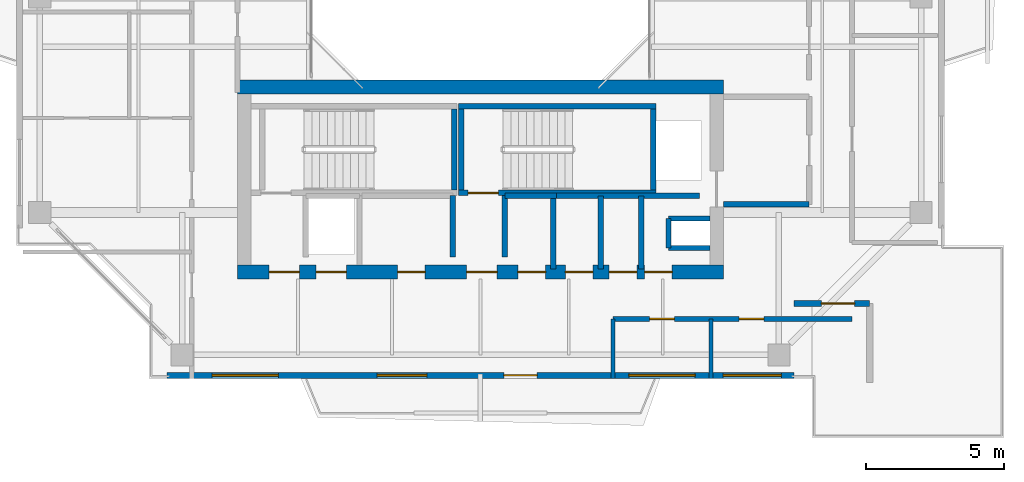
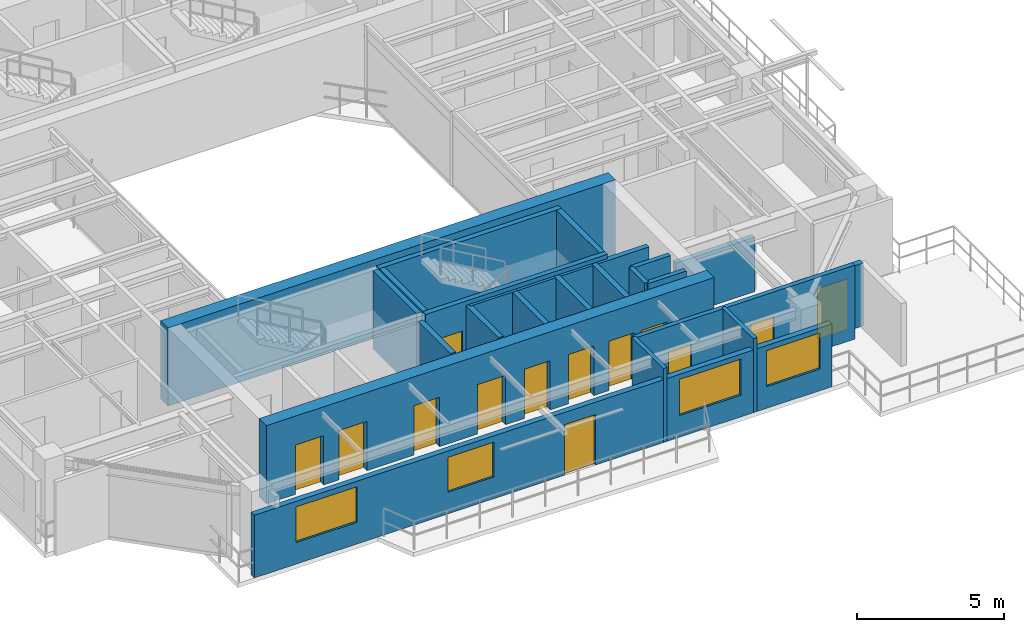
# One storey, part 10 of 16: 23 walls, 13 doors, 4 windows, 17 openings.
"""IFC4 building model written with IfcOpenShell, lengths in metres."""

from ifc_helpers import new_model, si_unit, direction, frame, frame_2d, origin, place, context, subcontext, project, spatial, rectangle, extrude, source, transform, mapped, material, layer, layer_set, type_object, element, fill, save


model = new_model("IFC4")

# Units and contexts
model_context = context("Model", 3, precision=1e-05, world=origin(), true_north=direction((0.0, 1.0)))
body_context = subcontext(model_context, "Body", "Model", "MODEL_VIEW")
ifc_project = project(units=[si_unit("LENGTHUNIT", "METRE"), si_unit("AREAUNIT", "SQUARE_METRE"), si_unit("VOLUMEUNIT", "CUBIC_METRE"), si_unit("PLANEANGLEUNIT", "RADIAN"), si_unit("MASSUNIT", "GRAM", prefix="KILO"), si_unit("THERMODYNAMICTEMPERATUREUNIT", "KELVIN"), si_unit("POWERUNIT", "WATT")], contexts=[model_context])

# Site, building, storey
site_placement = place(None, origin())
site = spatial("IfcSite", under=ifc_project, at=site_placement, CompositionType="ELEMENT")
building_placement = place(site_placement, origin())
building = spatial("IfcBuilding", under=site, at=building_placement, Name="Qiaomeng Ring Towers", CompositionType="ELEMENT")
storey_placement = place(building_placement, frame((0.0, 0.0, 203.5)))
storey = spatial("IfcBuildingStorey", under=building, at=storey_placement, Name="L59", CompositionType="ELEMENT", Elevation=203.5)

# Wall, openings, windows, door
ifc_material_1 = material(Name="Precast concrete C40", Category="concrete")
ifc_layer_1 = layer(ifc_material_1, 0.219970703125, Name="Precast concrete C40")
ifc_layer_set_1 = layer_set([ifc_layer_1], Name="Precast concrete C40")
wall_type_1 = type_object("IfcWallType", Name="ARC-WL-EW2", PredefinedType="STANDARD", material=ifc_layer_set_1)
wall_1_placement = place(storey_placement, frame((7.64990234375, 6.31005859375, 0.0), z_axis=(0.0, 0.0, 1.0), x_axis=(1.0, 0.0, 0.0)))
wall_1 = element("IfcWall", 1, at=wall_1_placement, inside=storey, type_object=wall_type_1, Name="L59 Tower 1 S Exterior Wall", PredefinedType="STANDARD", context=body_context, shape_type="SweptSolid", body=[
    extrude(rectangle(XDim=22.7001953125, YDim=0.219970703125, at=frame_2d((11.35009765625, 0.0))), origin(), (0.0, 0.0, 1.0), 2.610107421875),
])
opening_1_placement = place(wall_1_placement, frame((12.199951171875, 0.0, 0.0)))
opening_1 = element("IfcOpeningElement", 2, at=opening_1_placement, cuts=wall_1, Name="Opening BD1", PredefinedType="OPENING", context=body_context, shape_type="SweptSolid", body=[
    extrude(rectangle(XDim=1.199951171875, YDim=2.10009765625, at=frame_2d((0.60009765625, 1.050048828125))), frame((0.0, 0.119873046875, 0.0), z_axis=(0.0, -1.0, 0.0), x_axis=(1.0, 0.0, 0.0)), (0.0, 0.0, 1.0), 0.239990234375),
])
opening_2_placement = place(wall_1_placement, frame((1.636962890625, 0.0, 0.89990234375)))
opening_2 = element("IfcOpeningElement", 3, at=opening_2_placement, cuts=wall_1, Name="Opening WN6", PredefinedType="OPENING", context=body_context, shape_type="SweptSolid", body=[
    extrude(rectangle(XDim=2.39990234375, YDim=1.47998046875, at=frame_2d((1.199951171875, 0.739990234375))), frame((0.0, 0.119873046875, 0.0), z_axis=(0.0, -1.0, 0.0), x_axis=(1.0, 0.0, 0.0)), (0.0, 0.0, 1.0), 0.239990234375),
])
opening_3_placement = place(wall_1_placement, frame((7.612060546875, 0.0, 0.89990234375)))
opening_3 = element("IfcOpeningElement", 4, at=opening_3_placement, cuts=wall_1, Name="Opening WN1", PredefinedType="OPENING", context=body_context, shape_type="SweptSolid", body=[
    extrude(rectangle(XDim=1.800048828125, YDim=1.449951171875, at=frame_2d((0.89990234375, 0.72509765625))), frame((0.0, 0.119873046875, 0.0), z_axis=(0.0, -1.0, 0.0), x_axis=(1.0, 0.0, 0.0)), (0.0, 0.0, 1.0), 0.239990234375),
])
opening_4_placement = place(wall_1_placement, frame((20.137451171875, 0.0, 0.89990234375)))
opening_4 = element("IfcOpeningElement", 5, at=opening_4_placement, cuts=wall_1, Name="Opening WN4", PredefinedType="OPENING", context=body_context, shape_type="SweptSolid", body=[
    extrude(rectangle(XDim=2.10009765625, YDim=1.5, at=frame_2d((1.050048828125, 0.75))), frame((0.0, 0.119873046875, 0.0), z_axis=(0.0, -1.0, 0.0), x_axis=(1.0, 0.0, 0.0)), (0.0, 0.0, 1.0), 0.239990234375),
])
opening_5_placement = place(wall_1_placement, frame((16.719970703125, 0.0, 0.89990234375)))
opening_5 = element("IfcOpeningElement", 6, at=opening_5_placement, cuts=wall_1, Name="Opening WN6", PredefinedType="OPENING", context=body_context, shape_type="SweptSolid", body=[
    extrude(rectangle(XDim=2.39990234375, YDim=1.5, at=frame_2d((1.199951171875, 0.75))), frame((0.0, 0.119873046875, 0.0), z_axis=(0.0, -1.0, 0.0), x_axis=(1.0, 0.0, 0.0)), (0.0, 0.0, 1.0), 0.239990234375),
])
ifc_material_2 = material(Name="Low-E dark-grey laminated double glazing", Category="glass")
window_type_1 = type_object("IfcWindowType", Name="ARC-WN-4", PartitioningType="TRIPLE_PANEL_VERTICAL", PredefinedType="WINDOW", material=ifc_material_2)
shared_shape_1 = source(origin(), body_context, "Body", "SweptSolid", [
    extrude(rectangle(XDim=2.10009765625, YDim=1.5, at=frame_2d((1.050048828125, 0.75))), frame((0.0, 0.030029296875, 0.0), z_axis=(0.0, -1.0, 0.0), x_axis=(1.0, 0.0, 0.0)), (0.0, 0.0, 1.0), 0.06005859375),
])
window_1_placement = place(opening_4_placement, origin())
window_1 = element("IfcWindow", 7, at=window_1_placement, inside=storey, type_object=window_type_1, Name="L59 Exterior Window WN4", OverallHeight=1.5, OverallWidth=2.10009765625, PartitioningType="TRIPLE_PANEL_VERTICAL", PredefinedType="WINDOW", context=body_context, shape_type="MappedRepresentation", body=[
    mapped(shared_shape_1, transform((0.0, 0.0, 0.0), x_axis=(1.0, 0.0, 0.0), y_axis=(0.0, 1.0, 0.0), z_axis=(0.0, 0.0, 1.0), scale=1.0)),
])
fill(opening_4, window_1)
window_type_2 = type_object("IfcWindowType", Name="ARC-WN-1", PartitioningType="DOUBLE_PANEL_VERTICAL", PredefinedType="WINDOW", material=ifc_material_2)
shared_shape_2 = source(origin(), body_context, "Body", "SweptSolid", [
    extrude(rectangle(XDim=1.800048828125, YDim=1.449951171875, at=frame_2d((0.89990234375, 0.72509765625))), frame((0.0, 0.030029296875, 0.0), z_axis=(0.0, -1.0, 0.0), x_axis=(1.0, 0.0, 0.0)), (0.0, 0.0, 1.0), 0.06005859375),
])
window_2_placement = place(opening_3_placement, origin())
window_2 = element("IfcWindow", 8, at=window_2_placement, inside=storey, type_object=window_type_2, Name="L59 Exterior Window WN1", OverallHeight=1.449951171875, OverallWidth=1.800048828125, PartitioningType="DOUBLE_PANEL_VERTICAL", PredefinedType="WINDOW", context=body_context, shape_type="MappedRepresentation", body=[
    mapped(shared_shape_2, transform((0.0, 0.0, 0.0), x_axis=(1.0, 0.0, 0.0), y_axis=(0.0, 1.0, 0.0), z_axis=(0.0, 0.0, 1.0), scale=1.0)),
])
fill(opening_3, window_2)
window_type_3 = type_object("IfcWindowType", Name="ARC-WN-6", PartitioningType="TRIPLE_PANEL_VERTICAL", PredefinedType="WINDOW", material=ifc_material_2)
shared_shape_3 = source(origin(), body_context, "Body", "SweptSolid", [
    extrude(rectangle(XDim=2.39990234375, YDim=1.47998046875, at=frame_2d((1.199951171875, 0.739990234375))), frame((0.0, 0.030029296875, 0.0), z_axis=(0.0, -1.0, 0.0), x_axis=(1.0, 0.0, 0.0)), (0.0, 0.0, 1.0), 0.06005859375),
])
window_3_placement = place(opening_2_placement, origin())
window_3 = element("IfcWindow", 9, at=window_3_placement, inside=storey, type_object=window_type_3, Name="L59 Exterior Window WN6", OverallHeight=1.47998046875, OverallWidth=2.39990234375, PartitioningType="TRIPLE_PANEL_VERTICAL", PredefinedType="WINDOW", context=body_context, shape_type="MappedRepresentation", body=[
    mapped(shared_shape_3, transform((0.0, 0.0, 0.0), x_axis=(1.0, 0.0, 0.0), y_axis=(0.0, 1.0, 0.0), z_axis=(0.0, 0.0, 1.0), scale=1.0)),
])
fill(opening_2, window_3)
door_type_1 = type_object("IfcDoorType", Name="ARC-DR-BD1", OperationType="NOTDEFINED", PredefinedType="DOOR", material=ifc_material_2)
shared_shape_4 = source(origin(), body_context, "Body", "SweptSolid", [
    extrude(rectangle(XDim=1.199951171875, YDim=2.10009765625, at=frame_2d((0.60009765625, 1.050048828125))), frame((0.0, 0.02490234375, 0.0), z_axis=(0.0, -1.0, 0.0), x_axis=(1.0, 0.0, 0.0)), (0.0, 0.0, 1.0), 0.050048828125),
])
door_1_placement = place(opening_1_placement, frame((1.199951171875, 0.0, 0.0), z_axis=(0.0, 0.0, 1.0), x_axis=(-1.0, 0.0, 0.0)))
door_1 = element("IfcDoor", 10, at=door_1_placement, inside=storey, type_object=door_type_1, Name="L59 S Balcony Glazed Door", OperationType="SINGLE_SWING_LEFT", OverallHeight=2.10009765625, OverallWidth=1.199951171875, PredefinedType="DOOR", context=body_context, shape_type="MappedRepresentation", body=[
    mapped(shared_shape_4, transform((0.0, 0.0, 0.0), x_axis=(1.0, 0.0, 0.0), y_axis=(0.0, 1.0, 0.0), z_axis=(0.0, 0.0, 1.0), scale=1.0)),
])
fill(opening_1, door_1)
shared_shape_5 = source(origin(), body_context, "Body", "SweptSolid", [
    extrude(rectangle(XDim=2.39990234375, YDim=1.5, at=frame_2d((1.199951171875, 0.75))), frame((0.0, 0.030029296875, 0.0), z_axis=(0.0, -1.0, 0.0), x_axis=(1.0, 0.0, 0.0)), (0.0, 0.0, 1.0), 0.06005859375),
])
window_4_placement = place(opening_5_placement, origin())
window_4 = element("IfcWindow", 11, at=window_4_placement, inside=storey, type_object=window_type_3, Name="L59 Exterior Window WN6", OverallHeight=1.5, OverallWidth=2.39990234375, PartitioningType="TRIPLE_PANEL_VERTICAL", PredefinedType="WINDOW", context=body_context, shape_type="MappedRepresentation", body=[
    mapped(shared_shape_5, transform((0.0, 0.0, 0.0), x_axis=(1.0, 0.0, 0.0), y_axis=(0.0, 1.0, 0.0), z_axis=(0.0, 0.0, 1.0), scale=1.0)),
])
fill(opening_5, window_4)

# Wall, opening, door
wall_2_placement = place(storey_placement, frame((30.35009765625, 8.909912109375, 0.0), z_axis=(0.0, 0.0, 1.0), x_axis=(1.0, 0.0, 0.0)))
wall_2 = element("IfcWall", 12, at=wall_2_placement, inside=storey, type_object=wall_type_1, Name="L59 Spiral Terrace Wall SE", PredefinedType="STANDARD", context=body_context, shape_type="SweptSolid", body=[
    extrude(rectangle(XDim=2.739990234375, YDim=0.219970703125, at=frame_2d((1.3701171875, 0.0))), origin(), (0.0, 0.0, 1.0), 2.610107421875),
])
opening_6_placement = place(wall_2_placement, frame((0.989990234375, 0.0, 0.0)))
opening_6 = element("IfcOpeningElement", 13, at=opening_6_placement, cuts=wall_2, Name="Opening BD1", PredefinedType="OPENING", context=body_context, shape_type="SweptSolid", body=[
    extrude(rectangle(XDim=1.199951171875, YDim=2.10009765625, at=frame_2d((0.60009765625, 1.050048828125))), frame((0.0, 0.119873046875, 0.0), z_axis=(0.0, -1.0, 0.0), x_axis=(1.0, 0.0, 0.0)), (0.0, 0.0, 1.0), 0.239990234375),
])
door_2_placement = place(opening_6_placement, origin())
door_2 = element("IfcDoor", 14, at=door_2_placement, inside=storey, type_object=door_type_1, Name="L59 Spiral Sky Terrace Door SE", OperationType="SINGLE_SWING_LEFT", OverallHeight=2.10009765625, OverallWidth=1.199951171875, PredefinedType="DOOR", context=body_context, shape_type="MappedRepresentation", body=[
    mapped(shared_shape_4, transform((0.0, 0.0, 0.0), x_axis=(1.0, 0.0, 0.0), y_axis=(0.0, 1.0, 0.0), z_axis=(0.0, 0.0, 1.0), scale=1.0)),
])
fill(opening_6, door_2)

# Walls
ifc_material_3 = material(Name="Autoclaved aerated concrete block", Category="concrete")
ifc_layer_2 = layer(ifc_material_3, 0.199951171875, Name="Autoclaved aerated concrete block")
ifc_layer_set_2 = layer_set([ifc_layer_2], Name="Autoclaved aerated concrete block")
wall_type_2 = type_object("IfcWallType", Name="ARC-WL-PW1", PredefinedType="PARTITIONING", material=ifc_layer_set_2)
wall_3_placement = place(storey_placement, frame((27.800048828125, 12.5, 0.0), z_axis=(0.0, 0.0, 1.0), x_axis=(1.0, 0.0, 0.0)))
element("IfcWall", 15, at=wall_3_placement, inside=storey, type_object=wall_type_2, Name="L59 Interior Wall PW1", PredefinedType="PARTITIONING", context=body_context, shape_type="SweptSolid", body=[
    extrude(rectangle(XDim=3.099853515625, YDim=0.199951171875, at=frame_2d((1.5498046875, 0.0))), origin(), (0.0, 0.0, 1.0), 2.264892578125),
])
for number, where, z_axis, x_axis, name in (
    (16, (18.0, 10.60009765625, 0.0), (0.0, 0.0, 1.0), (0.0, 1.0, 0.0), "L59 Interior Wall PW1"),
    (17, (19.8798828125, 10.60009765625, 0.0), (0.0, 0.0, 1.0), (0.0, 1.0, 0.0), "L59 Interior Wall PW1"),
):
    element("IfcWall", number, at=place(storey_placement, frame(where, z_axis=z_axis, x_axis=x_axis)), inside=storey, type_object=wall_type_2, Name=name, PredefinedType="PARTITIONING", context=body_context, shape_type="SweptSolid", body=[
        extrude(rectangle(XDim=2.2099609375, YDim=0.199951171875, at=frame_2d((1.10498046875, 0.0))), origin(), (0.0, 0.0, 1.0), 3.070068359375),
    ])
wall_4_placement = place(storey_placement, frame((24.820068359375, 10.14990234375, 0.0), z_axis=(0.0, 0.0, 1.0), x_axis=(0.0, 1.0, 0.0)))
element("IfcWall", 18, at=wall_4_placement, inside=storey, type_object=wall_type_2, Name="L59 Interior Wall PW1", PredefinedType="PARTITIONING", context=body_context, shape_type="SweptSolid", body=[
    extrude(rectangle(XDim=2.650146484375, YDim=0.199951171875, at=frame_2d((1.3251953125, 0.0))), origin(), (0.0, 0.0, 1.0), 3.070068359375),
])
wall_5_placement = place(storey_placement, frame((19.8798828125, 12.800048828125, 0.0), z_axis=(0.0, 0.0, 1.0), x_axis=(1.0, 0.0, 0.0)))
element("IfcWall", 19, at=wall_5_placement, inside=storey, type_object=wall_type_2, Name="L59 Interior Wall PW1", PredefinedType="PARTITIONING", context=body_context, shape_type="SweptSolid", body=[
    extrude(rectangle(XDim=1.8701171875, YDim=0.199951171875, at=frame_2d((0.93505859375, 0.0))), origin(), (0.0, 0.0, 1.0), 3.070068359375),
])
for number, where, z_axis, x_axis, name in (
    (20, (21.639892578125, 10.14990234375, 0.0), (0.0, 0.0, 1.0), (0.0, 1.0, 0.0), "L59 Interior Wall PW1"),
    (21, (23.35009765625, 10.14990234375, 0.0), (0.0, 0.0, 1.0), (0.0, 1.0, 0.0), "L59 Interior Wall PW1"),
):
    element("IfcWall", number, at=place(storey_placement, frame(where, z_axis=z_axis, x_axis=x_axis)), inside=storey, type_object=wall_type_2, Name=name, PredefinedType="PARTITIONING", context=body_context, shape_type="SweptSolid", body=[
        extrude(rectangle(XDim=2.650146484375, YDim=0.199951171875, at=frame_2d((1.3251953125, 0.0))), origin(), (0.0, 0.0, 1.0), 3.070068359375),
    ])
wall_6_placement = place(storey_placement, frame((21.75, 12.800048828125, 0.0), z_axis=(0.0, 0.0, 1.0), x_axis=(1.0, 0.0, 0.0)))
element("IfcWall", 22, at=wall_6_placement, inside=storey, type_object=wall_type_2, Name="L59 Interior Wall PW1", PredefinedType="PARTITIONING", context=body_context, shape_type="SweptSolid", body=[
    extrude(rectangle(XDim=5.169921875, YDim=0.199951171875, at=frame_2d((2.5849609375, 0.0))), origin(), (0.0, 0.0, 1.0), 3.070068359375),
])

# Wall, openings, doors
ifc_layer_3 = layer(ifc_material_3, 0.179931640625, Name="Autoclaved aerated concrete block")
ifc_layer_set_3 = layer_set([ifc_layer_3], Name="Autoclaved aerated concrete block")
wall_type_3 = type_object("IfcWallType", Name="ARC-WL-PW2", PredefinedType="PARTITIONING", material=ifc_layer_set_3)
wall_7_placement = place(storey_placement, frame((23.800048828125, 8.35009765625, 0.0), z_axis=(0.0, 0.0, 1.0), x_axis=(1.0, 0.0, 0.0)))
wall_7 = element("IfcWall", 23, at=wall_7_placement, inside=storey, type_object=wall_type_3, Name="L59 Interior Wall PW2", PredefinedType="PARTITIONING", context=body_context, shape_type="SweptSolid", body=[
    extrude(rectangle(XDim=8.64990234375, YDim=0.179931640625, at=frame_2d((4.324951171875, 0.0))), origin(), (0.0, 0.0, 1.0), 3.070068359375),
])
opening_7_placement = place(wall_7_placement, frame((1.320068359375, 0.0, 0.0)))
opening_7 = element("IfcOpeningElement", 24, at=opening_7_placement, cuts=wall_7, Name="Opening ID1", PredefinedType="OPENING", context=body_context, shape_type="SweptSolid", body=[
    extrude(rectangle(XDim=0.89990234375, YDim=2.050048828125, at=frame_2d((0.449951171875, 1.02490234375))), frame((0.0, 0.099853515625, 0.0), z_axis=(0.0, -1.0, 0.0), x_axis=(1.0, 0.0, 0.0)), (0.0, 0.0, 1.0), 0.199951171875),
])
opening_8_placement = place(wall_7_placement, frame((4.56201171875, 0.0, 0.0)))
opening_8 = element("IfcOpeningElement", 25, at=opening_8_placement, cuts=wall_7, Name="Opening ID1", PredefinedType="OPENING", context=body_context, shape_type="SweptSolid", body=[
    extrude(rectangle(XDim=0.89990234375, YDim=2.050048828125, at=frame_2d((0.449951171875, 1.02490234375))), frame((0.0, 0.099853515625, 0.0), z_axis=(0.0, -1.0, 0.0), x_axis=(1.0, 0.0, 0.0)), (0.0, 0.0, 1.0), 0.199951171875),
])
ifc_material_4 = material(Name="Engineered oak timber", Category="wood")
door_type_2 = type_object("IfcDoorType", Name="ARC-DR-ID1", OperationType="NOTDEFINED", PredefinedType="DOOR", material=ifc_material_4)
shared_shape_6 = source(origin(), body_context, "Body", "SweptSolid", [
    extrude(rectangle(XDim=0.89990234375, YDim=2.050048828125, at=frame_2d((0.449951171875, 1.02490234375))), frame((0.0, 0.02490234375, 0.0), z_axis=(0.0, -1.0, 0.0), x_axis=(1.0, 0.0, 0.0)), (0.0, 0.0, 1.0), 0.050048828125),
])
door_3_placement = place(opening_7_placement, origin())
door_3 = element("IfcDoor", 26, at=door_3_placement, inside=storey, type_object=door_type_2, Name="L59 Door ID1", OperationType="SINGLE_SWING_RIGHT", OverallHeight=2.050048828125, OverallWidth=0.89990234375, PredefinedType="DOOR", context=body_context, shape_type="MappedRepresentation", body=[
    mapped(shared_shape_6, transform((0.0, 0.0, 0.0), x_axis=(1.0, 0.0, 0.0), y_axis=(0.0, 1.0, 0.0), z_axis=(0.0, 0.0, 1.0), scale=1.0)),
])
fill(opening_7, door_3)
door_4_placement = place(opening_8_placement, origin())
door_4 = element("IfcDoor", 27, at=door_4_placement, inside=storey, type_object=door_type_2, Name="L59 Door ID1", OperationType="SINGLE_SWING_LEFT", OverallHeight=2.050048828125, OverallWidth=0.89990234375, PredefinedType="DOOR", context=body_context, shape_type="MappedRepresentation", body=[
    mapped(shared_shape_6, transform((0.0, 0.0, 0.0), x_axis=(1.0, 0.0, 0.0), y_axis=(0.0, 1.0, 0.0), z_axis=(0.0, 0.0, 1.0), scale=1.0)),
])
fill(opening_8, door_4)

# Walls
ifc_material_5 = material(Name="Gypsum fireboard steel-stud partition", Category="steel")
ifc_layer_4 = layer(ifc_material_5, 0.14990234375, Name="Gypsum fireboard steel-stud partition")
ifc_layer_set_4 = layer_set([ifc_layer_4], Name="Gypsum fireboard steel-stud partition")
wall_type_4 = type_object("IfcWallType", Name="ARC-WL-PW3", PredefinedType="PARTITIONING", material=ifc_layer_set_4)
for number, where, z_axis, x_axis, name in (
    (28, (23.800048828125, 6.199951171875, 0.0), (0.0, 0.0, 1.0), (0.0, 1.0, 0.0), "L59 Interior Wall PW3"),
    (29, (27.340087890625, 6.199951171875, 0.0), (0.0, 0.0, 1.0), (0.0, 1.0, 0.0), "L59 Interior Wall PW3"),
):
    element("IfcWall", number, at=place(storey_placement, frame(where, z_axis=z_axis, x_axis=x_axis)), inside=storey, type_object=wall_type_4, Name=name, PredefinedType="PARTITIONING", context=body_context, shape_type="SweptSolid", body=[
        extrude(rectangle(XDim=2.150146484375, YDim=0.14990234375, at=frame_2d((1.0751953125, 0.0))), origin(), (0.0, 0.0, 1.0), 3.070068359375),
    ])
ifc_material_6 = material(Name="Concrete C40", Category="concrete")
ifc_layer_5 = layer(ifc_material_6, 0.199951171875, Name="Concrete C40")
ifc_layer_set_5 = layer_set([ifc_layer_5], Name="Concrete C40")
wall_type_5 = type_object("IfcWallType", Name="STR-WL-STSHAFT", PredefinedType="SHEAR", material=ifc_layer_set_5)
wall_8_placement = place(storey_placement, frame((25.800048828125, 10.919921875, 0.0), z_axis=(0.0, 0.0, 1.0), x_axis=(0.0, 1.0, 0.0)))
element("IfcWall", 30, at=wall_8_placement, inside=storey, type_object=wall_type_5, Name="L59 Riser RSR1 West Shaft Wall S", PredefinedType="SHEAR", context=body_context, shape_type="SweptSolid", body=[
    extrude(rectangle(XDim=1.06005859375, YDim=0.179931640625, at=frame_2d((0.530029296875, 0.0))), origin(), (0.0, 0.0, 1.0), 3.070068359375),
])
for number, where, z_axis, x_axis, name in (
    (31, (25.800048828125, 11.97998046875, 0.0), (0.0, 0.0, 1.0), (1.0, 0.0, 0.0), "L59 Riser RSR1 North Shaft Wall S"),
    (32, (25.800048828125, 10.919921875, 0.0), (0.0, 0.0, 1.0), (1.0, 0.0, 0.0), "L59 Riser RSR1 South Shaft Wall S"),
):
    element("IfcWall", number, at=place(storey_placement, frame(where, z_axis=z_axis, x_axis=x_axis)), inside=storey, type_object=wall_type_5, Name=name, PredefinedType="SHEAR", context=body_context, shape_type="SweptSolid", body=[
        extrude(rectangle(XDim=1.5, YDim=0.179931640625, at=frame_2d((0.75, 0.0))), origin(), (0.0, 0.0, 1.0), 3.070068359375),
    ])
wall_9_placement = place(storey_placement, frame((18.050048828125, 13.010009765625, 0.0), z_axis=(0.0, 0.0, 1.0), x_axis=(0.0, 1.0, 0.0)))
element("IfcWall", 33, at=wall_9_placement, inside=storey, type_object=wall_type_5, Name="L59 Stair ST3 East Shaft Shear Wall", PredefinedType="SHEAR", context=body_context, shape_type="SweptSolid", body=[
    extrude(rectangle(XDim=2.93994140625, YDim=0.199951171875, at=frame_2d((1.469970703125, 0.0))), origin(), (0.0, 0.0, 1.0), 3.25),
])

# Wall, opening, door
wall_10_placement = place(storey_placement, frame((18.199951171875, 12.909912109375, 0.0), z_axis=(0.0, 0.0, 1.0), x_axis=(1.0, 0.0, 0.0)))
wall_10 = element("IfcWall", 34, at=wall_10_placement, inside=storey, type_object=wall_type_5, Name="L59 Stair ST4 South Shaft Shear Wall", PredefinedType="SHEAR", context=body_context, shape_type="SweptSolid", body=[
    extrude(rectangle(XDim=7.150146484375, YDim=0.199951171875, at=frame_2d((3.5751953125, 0.0))), origin(), (0.0, 0.0, 1.0), 3.25),
])
opening_9_placement = place(wall_10_placement, frame((0.35009765625, 0.0, 0.0)))
opening_9 = element("IfcOpeningElement", 35, at=opening_9_placement, cuts=wall_10, Name="Opening FD3", PredefinedType="OPENING", context=body_context, shape_type="SweptSolid", body=[
    extrude(rectangle(XDim=1.10009765625, YDim=2.050048828125, at=frame_2d((0.550048828125, 1.02490234375))), frame((0.0, 0.10986328125, 0.0), z_axis=(0.0, -1.0, 0.0), x_axis=(1.0, 0.0, 0.0)), (0.0, 0.0, 1.0), 0.219970703125),
])
ifc_material_7 = material(Name="Galvanised steel", Category="steel")
door_type_3 = type_object("IfcDoorType", Name="ARC-DR-FD3", OperationType="NOTDEFINED", PredefinedType="DOOR", material=ifc_material_7)
shared_shape_7 = source(origin(), body_context, "Body", "SweptSolid", [
    extrude(rectangle(XDim=1.10009765625, YDim=2.050048828125, at=frame_2d((0.550048828125, 1.02490234375))), frame((0.0, 0.02490234375, 0.0), z_axis=(0.0, -1.0, 0.0), x_axis=(1.0, 0.0, 0.0)), (0.0, 0.0, 1.0), 0.050048828125),
])
door_5_placement = place(opening_9_placement, frame((1.10009765625, 0.0, 0.0), z_axis=(0.0, 0.0, 1.0), x_axis=(-1.0, 0.0, 0.0)))
door_5 = element("IfcDoor", 36, at=door_5_placement, inside=storey, type_object=door_type_3, Name="L59 Stair ST4 Exit Door", OperationType="SINGLE_SWING_RIGHT", OverallHeight=2.050048828125, OverallWidth=1.10009765625, PredefinedType="DOOR", context=body_context, shape_type="MappedRepresentation", body=[
    mapped(shared_shape_7, transform((0.0, 0.0, 0.0), x_axis=(1.0, 0.0, 0.0), y_axis=(0.0, 1.0, 0.0), z_axis=(0.0, 0.0, 1.0), scale=1.0)),
])
fill(opening_9, door_5)

# Walls
wall_11_placement = place(storey_placement, frame((18.199951171875, 16.050048828125, 0.0), z_axis=(0.0, 0.0, 1.0), x_axis=(1.0, 0.0, 0.0)))
element("IfcWall", 37, at=wall_11_placement, inside=storey, type_object=wall_type_5, Name="L59 Stair ST4 North Shaft Shear Wall", PredefinedType="SHEAR", context=body_context, shape_type="SweptSolid", body=[
    extrude(rectangle(XDim=7.150146484375, YDim=0.199951171875, at=frame_2d((3.5751953125, 0.0))), origin(), (0.0, 0.0, 1.0), 3.25),
])
for number, where, z_axis, x_axis, name in (
    (38, (18.300048828125, 13.010009765625, 0.0), (0.0, 0.0, 1.0), (0.0, 1.0, 0.0), "L59 Stair ST4 West Shaft Shear Wall"),
    (39, (25.25, 13.010009765625, 0.0), (0.0, 0.0, 1.0), (0.0, 1.0, 0.0), "L59 Stair ST4 East Shaft Shear Wall"),
):
    element("IfcWall", number, at=place(storey_placement, frame(where, z_axis=z_axis, x_axis=x_axis)), inside=storey, type_object=wall_type_5, Name=name, PredefinedType="SHEAR", context=body_context, shape_type="SweptSolid", body=[
        extrude(rectangle(XDim=2.93994140625, YDim=0.199951171875, at=frame_2d((1.469970703125, 0.0))), origin(), (0.0, 0.0, 1.0), 3.25),
    ])

# Wall, openings, doors
ifc_layer_6 = layer(ifc_material_6, 0.5, Name="Concrete C40")
ifc_layer_set_6 = layer_set([ifc_layer_6], Name="Concrete C40")
wall_type_6 = type_object("IfcWallType", Name="STR-WL-SW3", PredefinedType="SHEAR", material=ifc_layer_set_6)
wall_12_placement = place(storey_placement, frame((10.199951171875, 10.050048828125, 0.0), z_axis=(0.0, 0.0, 1.0), x_axis=(1.0, 0.0, 0.0)))
wall_12 = element("IfcWall", 40, at=wall_12_placement, inside=storey, type_object=wall_type_6, Name="L59 T1SC south core shear wall", PredefinedType="SHEAR", context=body_context, shape_type="SweptSolid", body=[
    extrude(rectangle(XDim=17.60009765625, YDim=0.5, at=frame_2d((8.800048828125, 0.0))), origin(), (0.0, 0.0, 1.0), 3.25),
])
opening_10_placement = place(wall_12_placement, frame((1.14990234375, 0.0, 0.0)))
opening_10 = element("IfcOpeningElement", 41, at=opening_10_placement, cuts=wall_12, Name="Opening FD3", PredefinedType="OPENING", context=body_context, shape_type="SweptSolid", body=[
    extrude(rectangle(XDim=1.10009765625, YDim=2.050048828125, at=frame_2d((0.550048828125, 1.02490234375))), frame((0.0, 0.260009765625, 0.0), z_axis=(0.0, -1.0, 0.0), x_axis=(1.0, 0.0, 0.0)), (0.0, 0.0, 1.0), 0.52001953125),
])
opening_11_placement = place(wall_12_placement, frame((8.300048828125, 0.0, 0.0)))
opening_11 = element("IfcOpeningElement", 42, at=opening_11_placement, cuts=wall_12, Name="Opening FD3", PredefinedType="OPENING", context=body_context, shape_type="SweptSolid", body=[
    extrude(rectangle(XDim=1.10009765625, YDim=2.050048828125, at=frame_2d((0.550048828125, 1.02490234375))), frame((0.0, 0.260009765625, 0.0), z_axis=(0.0, -1.0, 0.0), x_axis=(1.0, 0.0, 0.0)), (0.0, 0.0, 1.0), 0.52001953125),
])
opening_12_placement = place(wall_12_placement, frame((2.85009765625, 0.0, 0.0)))
opening_12 = element("IfcOpeningElement", 43, at=opening_12_placement, cuts=wall_12, Name="Opening LD1", PredefinedType="OPENING", context=body_context, shape_type="SweptSolid", body=[
    extrude(rectangle(XDim=1.10009765625, YDim=2.050048828125, at=frame_2d((0.550048828125, 1.02490234375))), frame((0.0, 0.260009765625, 0.0), z_axis=(0.0, -1.0, 0.0), x_axis=(1.0, 0.0, 0.0)), (0.0, 0.0, 1.0), 0.52001953125),
])
opening_13_placement = place(wall_12_placement, frame((5.800048828125, 0.0, 0.0)))
opening_13 = element("IfcOpeningElement", 44, at=opening_13_placement, cuts=wall_12, Name="Opening FD1", PredefinedType="OPENING", context=body_context, shape_type="SweptSolid", body=[
    extrude(rectangle(XDim=1.0, YDim=2.050048828125, at=frame_2d((0.5, 1.02490234375))), frame((0.0, 0.260009765625, 0.0), z_axis=(0.0, -1.0, 0.0), x_axis=(1.0, 0.0, 0.0)), (0.0, 0.0, 1.0), 0.52001953125),
])
opening_14_placement = place(wall_12_placement, frame((14.739990234375, 0.0, 0.0)))
opening_14 = element("IfcOpeningElement", 45, at=opening_14_placement, cuts=wall_12, Name="Opening FD1", PredefinedType="OPENING", context=body_context, shape_type="SweptSolid", body=[
    extrude(rectangle(XDim=1.0, YDim=2.050048828125, at=frame_2d((0.5, 1.02490234375))), frame((0.0, 0.260009765625, 0.0), z_axis=(0.0, -1.0, 0.0), x_axis=(1.0, 0.0, 0.0)), (0.0, 0.0, 1.0), 0.52001953125),
])
opening_15_placement = place(wall_12_placement, frame((10.155029296875, 0.0, 0.0)))
opening_15 = element("IfcOpeningElement", 46, at=opening_15_placement, cuts=wall_12, Name="Opening FD1", PredefinedType="OPENING", context=body_context, shape_type="SweptSolid", body=[
    extrude(rectangle(XDim=1.0, YDim=2.050048828125, at=frame_2d((0.5, 1.02490234375))), frame((0.0, 0.260009765625, 0.0), z_axis=(0.0, -1.0, 0.0), x_axis=(1.0, 0.0, 0.0)), (0.0, 0.0, 1.0), 0.52001953125),
])
opening_16_placement = place(wall_12_placement, frame((11.8701171875, 0.0, 0.0)))
opening_16 = element("IfcOpeningElement", 47, at=opening_16_placement, cuts=wall_12, Name="Opening FD1", PredefinedType="OPENING", context=body_context, shape_type="SweptSolid", body=[
    extrude(rectangle(XDim=1.0, YDim=2.050048828125, at=frame_2d((0.5, 1.02490234375))), frame((0.0, 0.260009765625, 0.0), z_axis=(0.0, -1.0, 0.0), x_axis=(1.0, 0.0, 0.0)), (0.0, 0.0, 1.0), 0.52001953125),
])
opening_17_placement = place(wall_12_placement, frame((13.4599609375, 0.0, 0.0)))
opening_17 = element("IfcOpeningElement", 48, at=opening_17_placement, cuts=wall_12, Name="Opening FD1", PredefinedType="OPENING", context=body_context, shape_type="SweptSolid", body=[
    extrude(rectangle(XDim=1.0, YDim=2.050048828125, at=frame_2d((0.5, 1.02490234375))), frame((0.0, 0.260009765625, 0.0), z_axis=(0.0, -1.0, 0.0), x_axis=(1.0, 0.0, 0.0)), (0.0, 0.0, 1.0), 0.52001953125),
])
door_6_placement = place(opening_10_placement, origin())
door_6 = element("IfcDoor", 49, at=door_6_placement, inside=storey, type_object=door_type_3, Name="L59 Stair ST3 Lobby Door", OperationType="SINGLE_SWING_LEFT", OverallHeight=2.050048828125, OverallWidth=1.10009765625, PredefinedType="DOOR", context=body_context, shape_type="MappedRepresentation", body=[
    mapped(shared_shape_7, transform((0.0, 0.0, 0.0), x_axis=(1.0, 0.0, 0.0), y_axis=(0.0, 1.0, 0.0), z_axis=(0.0, 0.0, 1.0), scale=1.0)),
])
fill(opening_10, door_6)
door_7_placement = place(opening_11_placement, origin())
door_7 = element("IfcDoor", 50, at=door_7_placement, inside=storey, type_object=door_type_3, Name="L59 Stair ST4 Lobby Door", OperationType="SINGLE_SWING_LEFT", OverallHeight=2.050048828125, OverallWidth=1.10009765625, PredefinedType="DOOR", context=body_context, shape_type="MappedRepresentation", body=[
    mapped(shared_shape_7, transform((0.0, 0.0, 0.0), x_axis=(1.0, 0.0, 0.0), y_axis=(0.0, 1.0, 0.0), z_axis=(0.0, 0.0, 1.0), scale=1.0)),
])
fill(opening_11, door_7)
ifc_material_8 = material(Name="Stainless steel 316", Category="steel")
door_type_4 = type_object("IfcDoorType", Name="ARC-DR-LD1", OperationType="NOTDEFINED", PredefinedType="DOOR", material=ifc_material_8)
door_8_placement = place(opening_12_placement, origin())
door_8 = element("IfcDoor", 51, at=door_8_placement, inside=storey, type_object=door_type_4, Name="L59 High-Zone Lift LP6 Landing Door", OperationType="SLIDING_TO_RIGHT", OverallHeight=2.050048828125, OverallWidth=1.10009765625, PredefinedType="DOOR", context=body_context, shape_type="MappedRepresentation", body=[
    mapped(shared_shape_7, transform((0.0, 0.0, 0.0), x_axis=(1.0, 0.0, 0.0), y_axis=(0.0, 1.0, 0.0), z_axis=(0.0, 0.0, 1.0), scale=1.0)),
])
fill(opening_12, door_8)
door_type_5 = type_object("IfcDoorType", Name="ARC-DR-FD1", OperationType="NOTDEFINED", PredefinedType="DOOR", material=ifc_material_7)
shared_shape_8 = source(origin(), body_context, "Body", "SweptSolid", [
    extrude(rectangle(XDim=1.0, YDim=2.050048828125, at=frame_2d((0.5, 1.02490234375))), frame((0.0, 0.02490234375, 0.0), z_axis=(0.0, -1.0, 0.0), x_axis=(1.0, 0.0, 0.0)), (0.0, 0.0, 1.0), 0.050048828125),
])
door_9_placement = place(opening_13_placement, origin())
door_9 = element("IfcDoor", 52, at=door_9_placement, inside=storey, type_object=door_type_5, Name="L59 High-Zone Freed Core Room Door", OperationType="SINGLE_SWING_RIGHT", OverallHeight=2.050048828125, OverallWidth=1.0, PredefinedType="DOOR", context=body_context, shape_type="MappedRepresentation", body=[
    mapped(shared_shape_8, transform((0.0, 0.0, 0.0), x_axis=(1.0, 0.0, 0.0), y_axis=(0.0, 1.0, 0.0), z_axis=(0.0, 0.0, 1.0), scale=1.0)),
])
fill(opening_13, door_9)
door_10_placement = place(opening_14_placement, origin())
door_10 = element("IfcDoor", 53, at=door_10_placement, inside=storey, type_object=door_type_5, Name="L59 South Electrical Riser Door", OperationType="SINGLE_SWING_RIGHT", OverallHeight=2.050048828125, OverallWidth=1.0, PredefinedType="DOOR", context=body_context, shape_type="MappedRepresentation", body=[
    mapped(shared_shape_8, transform((0.0, 0.0, 0.0), x_axis=(1.0, 0.0, 0.0), y_axis=(0.0, 1.0, 0.0), z_axis=(0.0, 0.0, 1.0), scale=1.0)),
])
fill(opening_14, door_10)
door_11_placement = place(opening_15_placement, origin())
door_11 = element("IfcDoor", 54, at=door_11_placement, inside=storey, type_object=door_type_5, Name="L59 South Break Lounge Door", OperationType="SINGLE_SWING_RIGHT", OverallHeight=2.050048828125, OverallWidth=1.0, PredefinedType="DOOR", context=body_context, shape_type="MappedRepresentation", body=[
    mapped(shared_shape_8, transform((0.0, 0.0, 0.0), x_axis=(1.0, 0.0, 0.0), y_axis=(0.0, 1.0, 0.0), z_axis=(0.0, 0.0, 1.0), scale=1.0)),
])
fill(opening_15, door_11)
door_12_placement = place(opening_16_placement, origin())
door_12 = element("IfcDoor", 55, at=door_12_placement, inside=storey, type_object=door_type_5, Name="L59 South Consultation Study Door", OperationType="SINGLE_SWING_LEFT", OverallHeight=2.050048828125, OverallWidth=1.0, PredefinedType="DOOR", context=body_context, shape_type="MappedRepresentation", body=[
    mapped(shared_shape_8, transform((0.0, 0.0, 0.0), x_axis=(1.0, 0.0, 0.0), y_axis=(0.0, 1.0, 0.0), z_axis=(0.0, 0.0, 1.0), scale=1.0)),
])
fill(opening_16, door_12)
door_13_placement = place(opening_17_placement, origin())
door_13 = element("IfcDoor", 56, at=door_13_placement, inside=storey, type_object=door_type_5, Name="L59 South Tea Pantry Door", OperationType="SINGLE_SWING_RIGHT", OverallHeight=2.050048828125, OverallWidth=1.0, PredefinedType="DOOR", context=body_context, shape_type="MappedRepresentation", body=[
    mapped(shared_shape_8, transform((0.0, 0.0, 0.0), x_axis=(1.0, 0.0, 0.0), y_axis=(0.0, 1.0, 0.0), z_axis=(0.0, 0.0, 1.0), scale=1.0)),
])
fill(opening_17, door_13)

# Wall
wall_13_placement = place(storey_placement, frame((10.199951171875, 16.75, 0.0), z_axis=(0.0, 0.0, 1.0), x_axis=(1.0, 0.0, 0.0)))
element("IfcWall", 57, at=wall_13_placement, inside=storey, type_object=wall_type_6, Name="L59 T1SC north core shear wall", PredefinedType="SHEAR", context=body_context, shape_type="SweptSolid", body=[
    extrude(rectangle(XDim=17.60009765625, YDim=0.5, at=frame_2d((8.800048828125, 0.0))), origin(), (0.0, 0.0, 1.0), 3.25),
])

save(model, "model.ifc")
